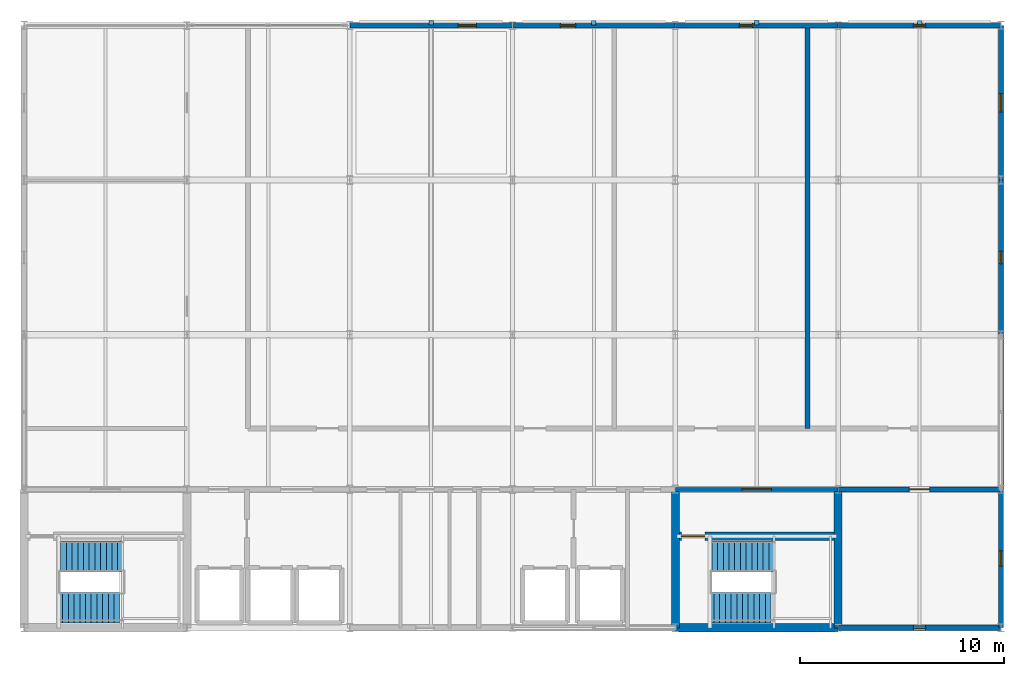
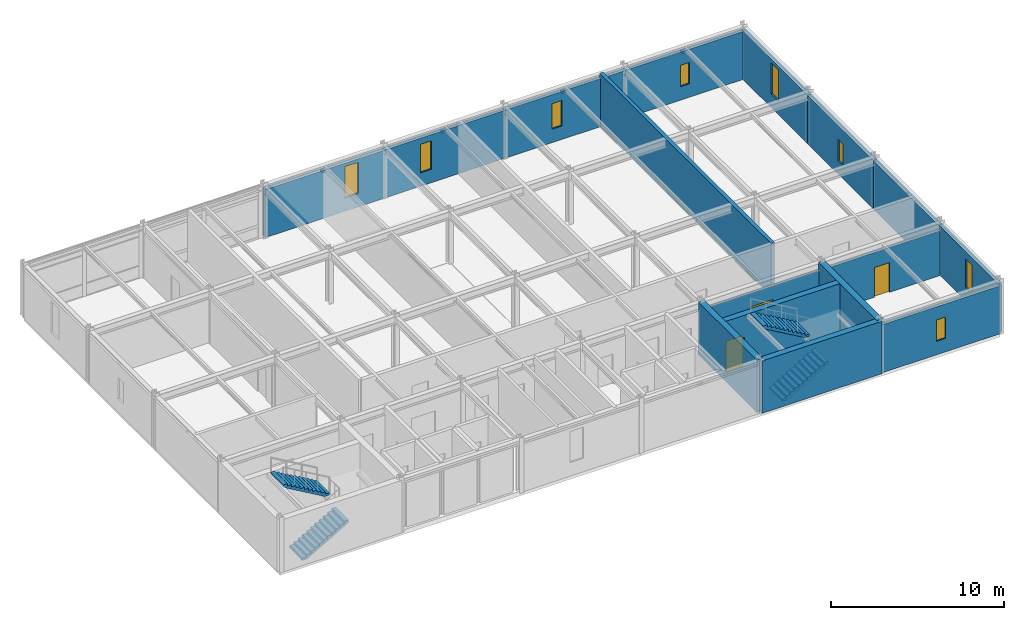
# One storey, part 8 of 9: 16 walls, 8 windows, 4 discrete accessories, 4 stair flights, 3 doors, 11 openings, 2 elements without a shape of their own.
"""IFC4 building model written with IfcOpenShell, lengths in metres."""

from ifc_helpers import new_model, si_unit, direction, frame, frame_2d, origin, origin_2d, place, context, subcontext, project, spatial, polyline, rectangle, outline, extrude, material, layer, layer_set, type_object, element, fill, aggregate, save


model = new_model("IFC4")

# Units and contexts
model_context = context("Model", 3, precision=1e-05, world=origin(), true_north=direction((0.0, 1.0)))
body_context = subcontext(model_context, "Body", "Model", "MODEL_VIEW")
ifc_project = project(units=[si_unit("LENGTHUNIT", "METRE"), si_unit("AREAUNIT", "SQUARE_METRE"), si_unit("VOLUMEUNIT", "CUBIC_METRE"), si_unit("PLANEANGLEUNIT", "RADIAN"), si_unit("MASSUNIT", "GRAM", prefix="KILO")], contexts=[model_context])

# Site, building, storey
site_placement = place(None, origin())
site = spatial("IfcSite", under=ifc_project, at=site_placement, CompositionType="ELEMENT")
building_placement = place(site_placement, origin())
building = spatial("IfcBuilding", under=site, at=building_placement, Name="Shalkamar Park Central Library", CompositionType="ELEMENT")
storey_placement = place(building_placement, frame((0.0, 0.0, 63.89990234375)))
storey = spatial("IfcBuildingStorey", under=building, at=storey_placement, Name="L16", CompositionType="ELEMENT", Elevation=63.89990234375)

# Wall, opening, window
ifc_material_1 = material(Name="Terracotta insulated masonry", Category="masonry")
ifc_layer_1 = layer(ifc_material_1, 0.260009765625)
ifc_layer_set_1 = layer_set([ifc_layer_1], Name="ArchiveInsulatedFacadeWall_260")
wall_type_1 = type_object("IfcWallType", Name="Archive Insulated Facade Wall 260", PredefinedType="SOLIDWALL", material=ifc_layer_set_1)
wall_1_placement = place(storey_placement, frame((205.006103515625, 248.39990234375, 0.0), z_axis=(0.0, 0.0, 1.0), x_axis=(1.0, 0.0, 0.0)))
wall_1 = element("IfcWall", 1, at=wall_1_placement, inside=storey, type_object=wall_type_1, Name="Exterior Facade Wall WL-EXT-L16-274", PredefinedType="SOLIDWALL", context=body_context, shape_type="SweptSolid", body=[
    extrude(rectangle(XDim=7.98779296875, YDim=0.260009765625, at=frame_2d((3.993896484375, 0.0))), origin(), (0.0, 0.0, 1.0), 3.38818359375),
])
opening_1_placement = place(wall_1_placement, frame((3.694091796875, 0.0, 0.949951171875)))
opening_1 = element("IfcOpeningElement", 2, at=opening_1_placement, cuts=wall_1, Name="Opening WN-20", PredefinedType="OPENING", context=body_context, shape_type="SweptSolid", body=[
    extrude(rectangle(XDim=0.60009765625, YDim=1.5, at=frame_2d((0.300048828125, 0.75))), frame((0.0, 0.14501953125, 0.0), z_axis=(0.0, -1.0, 0.0), x_axis=(1.0, 0.0, 0.0)), (0.0, 0.0, 1.0), 0.289794921875),
])
ifc_material_2 = material(Name="Thermally broken aluminium and triple low-e glass", Category="glass")
window_type_1 = type_object("IfcWindowType", Name="Archive Slit Window 600x1500", PartitioningType="SINGLE_PANEL", PredefinedType="WINDOW", material=ifc_material_2)
window_1_placement = place(opening_1_placement, origin())
window_1 = element("IfcWindow", 3, at=window_1_placement, inside=storey, type_object=window_type_1, Name="Facade Window WN-L16-201", OverallHeight=1.5, OverallWidth=0.60009765625, PartitioningType="SINGLE_PANEL", PredefinedType="WINDOW", context=body_context, shape_type="SweptSolid", body=[
    extrude(rectangle(XDim=0.60009765625, YDim=1.5, at=frame_2d((0.300048828125, 0.75))), frame((0.0, 0.030029296875, 0.0), z_axis=(0.0, -1.0, 0.0), x_axis=(1.0, 0.0, 0.0)), (0.0, 0.0, 1.0), 0.06005859375),
])
fill(opening_1, window_1)

wall_2_placement = place(storey_placement, frame((181.006103515625, 278.0, 0.0), z_axis=(0.0, 0.0, 1.0), x_axis=(1.0, 0.0, 0.0)))
wall_2 = element("IfcWall", 4, at=wall_2_placement, inside=storey, type_object=wall_type_1, Name="Exterior Facade Wall WL-EXT-L16-275", PredefinedType="SOLIDWALL", context=body_context, shape_type="SweptSolid", body=[
    extrude(rectangle(XDim=7.98779296875, YDim=0.260009765625, at=frame_2d((3.993896484375, 0.0))), origin(), (0.0, 0.0, 1.0), 3.38818359375),
])
opening_2_placement = place(wall_2_placement, frame((5.31591796875, 0.0, 0.949951171875)))
opening_2 = element("IfcOpeningElement", 5, at=opening_2_placement, cuts=wall_2, Name="Opening WN-17", PredefinedType="OPENING", context=body_context, shape_type="SweptSolid", body=[
    extrude(rectangle(XDim=0.89990234375, YDim=2.199951171875, at=frame_2d((0.449951171875, 1.10009765625))), frame((0.0, 0.14501953125, 0.0), z_axis=(0.0, -1.0, 0.0), x_axis=(1.0, 0.0, 0.0)), (0.0, 0.0, 1.0), 0.289794921875),
])
window_type_2 = type_object("IfcWindowType", Name="Archive Slit Window 900x2200", PartitioningType="SINGLE_PANEL", PredefinedType="WINDOW", material=ifc_material_2)
window_2_placement = place(opening_2_placement, origin())
window_2 = element("IfcWindow", 6, at=window_2_placement, inside=storey, type_object=window_type_2, Name="Facade Window WN-L16-202", OverallHeight=2.199951171875, OverallWidth=0.89990234375, PartitioningType="SINGLE_PANEL", PredefinedType="WINDOW", context=body_context, shape_type="SweptSolid", body=[
    extrude(rectangle(XDim=0.89990234375, YDim=2.199951171875, at=frame_2d((0.449951171875, 1.10009765625))), frame((0.0, 0.030029296875, 0.0), z_axis=(0.0, -1.0, 0.0), x_axis=(1.0, 0.0, 0.0)), (0.0, 0.0, 1.0), 0.06005859375),
])
fill(opening_2, window_2)

wall_3_placement = place(storey_placement, frame((189.006103515625, 278.0, 0.0), z_axis=(0.0, 0.0, 1.0), x_axis=(1.0, 0.0, 0.0)))
wall_3 = element("IfcWall", 7, at=wall_3_placement, inside=storey, type_object=wall_type_1, Name="Exterior Facade Wall WL-EXT-L16-276", PredefinedType="SOLIDWALL", context=body_context, shape_type="SweptSolid", body=[
    extrude(rectangle(XDim=7.98779296875, YDim=0.260009765625, at=frame_2d((3.993896484375, 0.0))), origin(), (0.0, 0.0, 1.0), 3.38818359375),
])
opening_3_placement = place(wall_3_placement, frame((2.346923828125, 0.0, 0.949951171875)))
opening_3 = element("IfcOpeningElement", 8, at=opening_3_placement, cuts=wall_3, Name="Opening WN-18", PredefinedType="OPENING", context=body_context, shape_type="SweptSolid", body=[
    extrude(rectangle(XDim=0.75, YDim=2.0, at=frame_2d((0.375, 1.0))), frame((0.0, 0.14501953125, 0.0), z_axis=(0.0, -1.0, 0.0), x_axis=(1.0, 0.0, 0.0)), (0.0, 0.0, 1.0), 0.289794921875),
])
window_type_3 = type_object("IfcWindowType", Name="Archive Slit Window 750x2000", PartitioningType="SINGLE_PANEL", PredefinedType="WINDOW", material=ifc_material_2)
window_3_placement = place(opening_3_placement, origin())
window_3 = element("IfcWindow", 9, at=window_3_placement, inside=storey, type_object=window_type_3, Name="Facade Window WN-L16-203", OverallHeight=2.0, OverallWidth=0.75, PartitioningType="SINGLE_PANEL", PredefinedType="WINDOW", context=body_context, shape_type="SweptSolid", body=[
    extrude(rectangle(XDim=0.75, YDim=2.0, at=frame_2d((0.375, 1.0))), frame((0.0, 0.030029296875, 0.0), z_axis=(0.0, -1.0, 0.0), x_axis=(1.0, 0.0, 0.0)), (0.0, 0.0, 1.0), 0.06005859375),
])
fill(opening_3, window_3)

wall_4_placement = place(storey_placement, frame((197.006103515625, 278.0, 0.0), z_axis=(0.0, 0.0, 1.0), x_axis=(1.0, 0.0, 0.0)))
wall_4 = element("IfcWall", 10, at=wall_4_placement, inside=storey, type_object=wall_type_1, Name="Exterior Facade Wall WL-EXT-L16-277", PredefinedType="SOLIDWALL", context=body_context, shape_type="SweptSolid", body=[
    extrude(rectangle(XDim=7.98779296875, YDim=0.260009765625, at=frame_2d((3.993896484375, 0.0))), origin(), (0.0, 0.0, 1.0), 3.38818359375),
])
opening_4_placement = place(wall_4_placement, frame((3.14697265625, 0.0, 0.949951171875)))
opening_4 = element("IfcOpeningElement", 11, at=opening_4_placement, cuts=wall_4, Name="Opening WN-19", PredefinedType="OPENING", context=body_context, shape_type="SweptSolid", body=[
    extrude(rectangle(XDim=0.64990234375, YDim=1.800048828125, at=frame_2d((0.324951171875, 0.89990234375))), frame((0.0, 0.14501953125, 0.0), z_axis=(0.0, -1.0, 0.0), x_axis=(1.0, 0.0, 0.0)), (0.0, 0.0, 1.0), 0.289794921875),
])
window_type_4 = type_object("IfcWindowType", Name="Archive Slit Window 650x1800", PartitioningType="SINGLE_PANEL", PredefinedType="WINDOW", material=ifc_material_2)
window_4_placement = place(opening_4_placement, origin())
window_4 = element("IfcWindow", 12, at=window_4_placement, inside=storey, type_object=window_type_4, Name="Facade Window WN-L16-204", OverallHeight=1.800048828125, OverallWidth=0.64990234375, PartitioningType="SINGLE_PANEL", PredefinedType="WINDOW", context=body_context, shape_type="SweptSolid", body=[
    extrude(rectangle(XDim=0.64990234375, YDim=1.800048828125, at=frame_2d((0.324951171875, 0.89990234375))), frame((0.0, 0.030029296875, 0.0), z_axis=(0.0, -1.0, 0.0), x_axis=(1.0, 0.0, 0.0)), (0.0, 0.0, 1.0), 0.06005859375),
])
fill(opening_4, window_4)

wall_5_placement = place(storey_placement, frame((205.006103515625, 278.0, 0.0), z_axis=(0.0, 0.0, 1.0), x_axis=(1.0, 0.0, 0.0)))
wall_5 = element("IfcWall", 13, at=wall_5_placement, inside=storey, type_object=wall_type_1, Name="Exterior Facade Wall WL-EXT-L16-278", PredefinedType="SOLIDWALL", context=body_context, shape_type="SweptSolid", body=[
    extrude(rectangle(XDim=7.98779296875, YDim=0.260009765625, at=frame_2d((3.993896484375, 0.0))), origin(), (0.0, 0.0, 1.0), 3.38818359375),
])
opening_5_placement = place(wall_5_placement, frame((3.694091796875, 0.0, 0.949951171875)))
opening_5 = element("IfcOpeningElement", 14, at=opening_5_placement, cuts=wall_5, Name="Opening WN-20", PredefinedType="OPENING", context=body_context, shape_type="SweptSolid", body=[
    extrude(rectangle(XDim=0.60009765625, YDim=1.5, at=frame_2d((0.300048828125, 0.75))), frame((0.0, 0.14501953125, 0.0), z_axis=(0.0, -1.0, 0.0), x_axis=(1.0, 0.0, 0.0)), (0.0, 0.0, 1.0), 0.289794921875),
])
window_5_placement = place(opening_5_placement, origin())
window_5 = element("IfcWindow", 15, at=window_5_placement, inside=storey, type_object=window_type_1, Name="Facade Window WN-L16-205", OverallHeight=1.5, OverallWidth=0.60009765625, PartitioningType="SINGLE_PANEL", PredefinedType="WINDOW", context=body_context, shape_type="SweptSolid", body=[
    extrude(rectangle(XDim=0.60009765625, YDim=1.5, at=frame_2d((0.300048828125, 0.75))), frame((0.0, 0.030029296875, 0.0), z_axis=(0.0, -1.0, 0.0), x_axis=(1.0, 0.0, 0.0)), (0.0, 0.0, 1.0), 0.06005859375),
])
fill(opening_5, window_5)

wall_6_placement = place(storey_placement, frame((213.0, 248.406005859375, 0.0), z_axis=(0.0, 0.0, 1.0), x_axis=(0.0, 1.0, 0.0)))
wall_6 = element("IfcWall", 16, at=wall_6_placement, inside=storey, type_object=wall_type_1, Name="Exterior Facade Wall WL-EXT-L16-282", PredefinedType="SOLIDWALL", context=body_context, shape_type="SweptSolid", body=[
    extrude(rectangle(XDim=6.7880859375, YDim=0.260009765625, at=frame_2d((3.39404296875, 0.0))), origin(), (0.0, 0.0, 1.0), 3.468017578125),
])
opening_6_placement = place(wall_6_placement, frame((3.01904296875, 0.0, 0.949951171875)))
opening_6 = element("IfcOpeningElement", 17, at=opening_6_placement, cuts=wall_6, Name="Opening WN-18", PredefinedType="OPENING", context=body_context, shape_type="SweptSolid", body=[
    extrude(rectangle(XDim=0.75, YDim=2.0, at=frame_2d((0.375, 1.0))), frame((0.0, 0.14501953125, 0.0), z_axis=(0.0, -1.0, 0.0), x_axis=(1.0, 0.0, 0.0)), (0.0, 0.0, 1.0), 0.289794921875),
])
window_6_placement = place(opening_6_placement, origin())
window_6 = element("IfcWindow", 18, at=window_6_placement, inside=storey, type_object=window_type_3, Name="Facade Window WN-L16-208", OverallHeight=2.0, OverallWidth=0.75, PartitioningType="SINGLE_PANEL", PredefinedType="WINDOW", context=body_context, shape_type="SweptSolid", body=[
    extrude(rectangle(XDim=0.75, YDim=2.0, at=frame_2d((0.375, 1.0))), frame((0.0, 0.030029296875, 0.0), z_axis=(0.0, -1.0, 0.0), x_axis=(1.0, 0.0, 0.0)), (0.0, 0.0, 1.0), 0.06005859375),
])
fill(opening_6, window_6)

# Wall
wall_7_placement = place(storey_placement, frame((213.0, 255.2060546875, 0.0), z_axis=(0.0, 0.0, 1.0), x_axis=(0.0, 1.0, 0.0)))
element("IfcWall", 19, at=wall_7_placement, inside=storey, type_object=wall_type_1, Name="Exterior Facade Wall WL-EXT-L16-283", PredefinedType="SOLIDWALL", context=body_context, shape_type="SweptSolid", body=[
    extrude(rectangle(XDim=7.587890625, YDim=0.260009765625, at=frame_2d((3.7939453125, 0.0))), origin(), (0.0, 0.0, 1.0), 3.427978515625),
])

# Wall, opening, window
wall_8_placement = place(storey_placement, frame((213.0, 262.805908203125, 0.0), z_axis=(0.0, 0.0, 1.0), x_axis=(0.0, 1.0, 0.0)))
wall_8 = element("IfcWall", 20, at=wall_8_placement, inside=storey, type_object=wall_type_1, Name="Exterior Facade Wall WL-EXT-L16-284", PredefinedType="SOLIDWALL", context=body_context, shape_type="SweptSolid", body=[
    extrude(rectangle(XDim=7.588134765625, YDim=0.260009765625, at=frame_2d((3.7939453125, 0.0))), origin(), (0.0, 0.0, 1.0), 3.427978515625),
])
opening_7_placement = place(wall_8_placement, frame((3.493896484375, 0.0, 0.949951171875)))
opening_7 = element("IfcOpeningElement", 21, at=opening_7_placement, cuts=wall_8, Name="Opening WN-20", PredefinedType="OPENING", context=body_context, shape_type="SweptSolid", body=[
    extrude(rectangle(XDim=0.60009765625, YDim=1.5, at=frame_2d((0.300048828125, 0.75))), frame((0.0, 0.14501953125, 0.0), z_axis=(0.0, -1.0, 0.0), x_axis=(1.0, 0.0, 0.0)), (0.0, 0.0, 1.0), 0.289794921875),
])
window_7_placement = place(opening_7_placement, origin())
window_7 = element("IfcWindow", 22, at=window_7_placement, inside=storey, type_object=window_type_1, Name="Facade Window WN-L16-209", OverallHeight=1.5, OverallWidth=0.60009765625, PartitioningType="SINGLE_PANEL", PredefinedType="WINDOW", context=body_context, shape_type="SweptSolid", body=[
    extrude(rectangle(XDim=0.60009765625, YDim=1.5, at=frame_2d((0.300048828125, 0.75))), frame((0.0, 0.030029296875, 0.0), z_axis=(0.0, -1.0, 0.0), x_axis=(1.0, 0.0, 0.0)), (0.0, 0.0, 1.0), 0.06005859375),
])
fill(opening_7, window_7)

wall_9_placement = place(storey_placement, frame((213.0, 270.406005859375, 0.0), z_axis=(0.0, 0.0, 1.0), x_axis=(0.0, 1.0, 0.0)))
wall_9 = element("IfcWall", 23, at=wall_9_placement, inside=storey, type_object=wall_type_1, Name="Exterior Facade Wall WL-EXT-L16-285", PredefinedType="SOLIDWALL", context=body_context, shape_type="SweptSolid", body=[
    extrude(rectangle(XDim=7.587890625, YDim=0.260009765625, at=frame_2d((3.7939453125, 0.0))), origin(), (0.0, 0.0, 1.0), 3.427978515625),
])
opening_8_placement = place(wall_9_placement, frame((3.343994140625, 0.0, 0.949951171875)))
opening_8 = element("IfcOpeningElement", 24, at=opening_8_placement, cuts=wall_9, Name="Opening WN-17", PredefinedType="OPENING", context=body_context, shape_type="SweptSolid", body=[
    extrude(rectangle(XDim=0.89990234375, YDim=2.199951171875, at=frame_2d((0.449951171875, 1.10009765625))), frame((0.0, 0.14501953125, 0.0), z_axis=(0.0, -1.0, 0.0), x_axis=(1.0, 0.0, 0.0)), (0.0, 0.0, 1.0), 0.289794921875),
])
window_8_placement = place(opening_8_placement, origin())
window_8 = element("IfcWindow", 25, at=window_8_placement, inside=storey, type_object=window_type_2, Name="Facade Window WN-L16-210", OverallHeight=2.199951171875, OverallWidth=0.89990234375, PartitioningType="SINGLE_PANEL", PredefinedType="WINDOW", context=body_context, shape_type="SweptSolid", body=[
    extrude(rectangle(XDim=0.89990234375, YDim=2.199951171875, at=frame_2d((0.449951171875, 1.10009765625))), frame((0.0, 0.030029296875, 0.0), z_axis=(0.0, -1.0, 0.0), x_axis=(1.0, 0.0, 0.0)), (0.0, 0.0, 1.0), 0.06005859375),
])
fill(opening_8, window_8)

# Wall, opening, door
ifc_material_3 = material(Name="Reinforced fire-compartment masonry wall", Category="masonry")
ifc_layer_2 = layer(ifc_material_3, 0.239990234375)
ifc_layer_set_2 = layer_set([ifc_layer_2], Name="CompartmentWall_240")
wall_type_2 = type_object("IfcWallType", Name="Compartment Wall 240", PredefinedType="PARTITIONING", material=ifc_layer_set_2)
wall_10_placement = place(storey_placement, frame((205.0, 255.199951171875, 0.0), z_axis=(0.0, 0.0, 1.0), x_axis=(1.0, 0.0, 0.0)))
wall_10 = element("IfcWall", 26, at=wall_10_placement, inside=storey, type_object=wall_type_2, Name="Interior Partition WL-INT-L16-010", PredefinedType="PARTITIONING", context=body_context, shape_type="SweptSolid", body=[
    extrude(rectangle(XDim=8.0, YDim=0.239990234375, at=frame_2d((4.0, 0.0))), origin(), (0.0, 0.0, 1.0), 3.148193359375),
])
opening_9_placement = place(wall_10_placement, frame((3.5, 0.0, 0.0)))
opening_9 = element("IfcOpeningElement", 27, at=opening_9_placement, cuts=wall_10, Name="Opening DR-L16-012", PredefinedType="OPENING", context=body_context, shape_type="SweptSolid", body=[
    extrude(rectangle(XDim=1.0, YDim=2.10009765625, at=frame_2d((0.5, 1.050048828125))), frame((0.0, 0.134765625, 0.0), z_axis=(0.0, -1.0, 0.0), x_axis=(1.0, 0.0, 0.0)), (0.0, 0.0, 1.0), 0.269775390625),
])
ifc_material_4 = material(Name="Steel S355", Category="steel")
door_type_1 = type_object("IfcDoorType", Name="Fire Door Single 1000x2100", OperationType="NOTDEFINED", PredefinedType="DOOR", material=ifc_material_4)
door_1_placement = place(opening_9_placement, frame((1.0, 0.0, 0.0), z_axis=(0.0, 0.0, 1.0), x_axis=(-1.0, 0.0, 0.0)))
door_1 = element("IfcDoor", 28, at=door_1_placement, inside=storey, type_object=door_type_1, Name="L16 Archive Registry Office Door", OperationType="SINGLE_SWING_RIGHT", OverallHeight=2.10009765625, OverallWidth=1.0, PredefinedType="DOOR", context=body_context, shape_type="SweptSolid", body=[
    extrude(rectangle(XDim=1.0, YDim=2.10009765625, at=frame_2d((0.5, 1.050048828125))), frame((0.0, 0.02490234375, 0.0), z_axis=(0.0, -1.0, 0.0), x_axis=(1.0, 0.0, 0.0)), (0.0, 0.0, 1.0), 0.050048828125),
])
fill(opening_9, door_1)

# Wall
wall_11_placement = place(storey_placement, frame((203.5, 258.199951171875, 0.0), z_axis=(0.0, 0.0, 1.0), x_axis=(0.0, 1.0, 0.0)))
element("IfcWall", 29, at=wall_11_placement, inside=storey, type_object=wall_type_2, Name="Interior Partition WL-INT-L16-018", PredefinedType="PARTITIONING", context=body_context, shape_type="SweptSolid", body=[
    extrude(rectangle(XDim=19.800048828125, YDim=0.239990234375, at=frame_2d((9.89990234375, 0.0))), origin(), (0.0, 0.0, 1.0), 3.7001953125),
])

# Wall, opening, door
ifc_material_5 = material(Name="Fire-rated corridor partition wall", Category="masonry")
ifc_layer_3 = layer(ifc_material_5, 0.199951171875)
ifc_layer_set_3 = layer_set([ifc_layer_3], Name="CorridorFireWall_200")
wall_type_3 = type_object("IfcWallType", Name="Corridor Fire Wall 200", PredefinedType="PARTITIONING", material=ifc_layer_set_3)
wall_12_placement = place(storey_placement, frame((197.0, 255.199951171875, 0.0), z_axis=(0.0, 0.0, 1.0), x_axis=(1.0, 0.0, 0.0)))
wall_12 = element("IfcWall", 30, at=wall_12_placement, inside=storey, type_object=wall_type_3, Name="CORE-T2 Vestibule North Wall (L16)", PredefinedType="PARTITIONING", context=body_context, shape_type="SweptSolid", body=[
    extrude(rectangle(XDim=8.0, YDim=0.199951171875, at=frame_2d((4.0, 0.0))), origin(), (0.0, 0.0, 1.0), 3.148193359375),
])
opening_10_placement = place(wall_12_placement, frame((3.27490234375, 0.0, 0.0)))
opening_10 = element("IfcOpeningElement", 31, at=opening_10_placement, cuts=wall_12, Name="Opening DR-ST-T2-L16-VEST", PredefinedType="OPENING", context=body_context, shape_type="SweptSolid", body=[
    extrude(rectangle(XDim=1.449951171875, YDim=2.199951171875, at=frame_2d((0.72509765625, 1.10009765625))), frame((0.0, 0.11474609375, 0.0), z_axis=(0.0, -1.0, 0.0), x_axis=(1.0, 0.0, 0.0)), (0.0, 0.0, 1.0), 0.229736328125),
])
door_type_2 = type_object("IfcDoorType", Name="Stair Vestibule Door 1450x2200", OperationType="DOUBLE_DOOR_SINGLE_SWING", PredefinedType="DOOR", material=ifc_material_4)
door_2_placement = place(opening_10_placement, frame((1.449951171875, 0.0, 0.0), z_axis=(0.0, 0.0, 1.0), x_axis=(-1.0, 0.0, 0.0)))
door_2 = element("IfcDoor", 32, at=door_2_placement, inside=storey, type_object=door_type_2, Name="Protected Stair ST-T2 Vestibule Door (L16)", OperationType="DOUBLE_DOOR_SINGLE_SWING", OverallHeight=2.199951171875, OverallWidth=1.449951171875, PredefinedType="DOOR", context=body_context, shape_type="SweptSolid", body=[
    extrude(rectangle(XDim=1.449951171875, YDim=2.199951171875, at=frame_2d((0.72509765625, 1.10009765625))), frame((0.0, 0.02490234375, 0.0), z_axis=(0.0, -1.0, 0.0), x_axis=(1.0, 0.0, 0.0)), (0.0, 0.0, 1.0), 0.050048828125),
])
fill(opening_10, door_2)

# Walls
ifc_material_6 = material(Name="Concrete C40/50", Category="concrete")
ifc_layer_4 = layer(ifc_material_6, 0.39990234375)
ifc_layer_set_4 = layer_set([ifc_layer_4], Name="Concrete C40/50")
wall_type_4 = type_object("IfcWallType", Name="Tower Core Shear Wall 400", PredefinedType="SHEAR", material=ifc_layer_set_4)
wall_13_placement = place(storey_placement, frame((197.0, 248.39990234375, 0.0), z_axis=(0.0, 0.0, 1.0), x_axis=(1.0, 0.0, 0.0)))
element("IfcWall", 33, at=wall_13_placement, inside=storey, type_object=wall_type_4, Name="CORE-T2 South Shear Wall (L16)", PredefinedType="SHEAR", context=body_context, shape_type="SweptSolid", body=[
    extrude(rectangle(XDim=8.0, YDim=0.39990234375, at=frame_2d((4.0, 0.0))), origin(), (0.0, 0.0, 1.0), 3.7001953125),
])
for number, where, z_axis, x_axis, name in (
    (34, (197.0, 248.39990234375, 0.0), (0.0, 0.0, 1.0), (0.0, 1.0, 0.0), "CORE-T2 West Shear Wall (L16)"),
    (35, (205.0, 248.39990234375, 0.0), (0.0, 0.0, 1.0), (0.0, 1.0, 0.0), "CORE-T2 East Shear Wall (L16)"),
):
    element("IfcWall", number, at=place(storey_placement, frame(where, z_axis=z_axis, x_axis=x_axis)), inside=storey, type_object=wall_type_4, Name=name, PredefinedType="SHEAR", context=body_context, shape_type="SweptSolid", body=[
        extrude(rectangle(XDim=6.800048828125, YDim=0.39990234375, at=frame_2d((3.39990234375, 0.0))), origin(), (0.0, 0.0, 1.0), 3.7001953125),
    ])

# Wall, opening, door
wall_14_placement = place(storey_placement, frame((197.0, 252.89990234375, 0.0), z_axis=(0.0, 0.0, 1.0), x_axis=(1.0, 0.0, 0.0)))
wall_14 = element("IfcWall", 36, at=wall_14_placement, inside=storey, type_object=wall_type_4, Name="CORE-T2 Stairwell Wall (L16)", PredefinedType="SHEAR", context=body_context, shape_type="SweptSolid", body=[
    extrude(rectangle(XDim=8.0, YDim=0.39990234375, at=frame_2d((4.0, 0.0))), origin(), (0.0, 0.0, 1.0), 3.7001953125),
])
opening_11_placement = place(wall_14_placement, frame((0.300048828125, 0.0, 0.0)))
opening_11 = element("IfcOpeningElement", 37, at=opening_11_placement, cuts=wall_14, Name="Opening DR-ST-T2-L16-IN", PredefinedType="OPENING", context=body_context, shape_type="SweptSolid", body=[
    extrude(rectangle(XDim=1.14990234375, YDim=2.14990234375, at=frame_2d((0.574951171875, 1.074951171875))), frame((0.0, 0.21484375, 0.0), z_axis=(0.0, -1.0, 0.0), x_axis=(1.0, 0.0, 0.0)), (0.0, 0.0, 1.0), 0.4296875),
])
door_type_3 = type_object("IfcDoorType", Name="Stair Core Exit Door 1150x2150", OperationType="NOTDEFINED", PredefinedType="DOOR", material=ifc_material_4)
door_3_placement = place(opening_11_placement, frame((1.14990234375, 0.0, 0.0), z_axis=(0.0, 0.0, 1.0), x_axis=(-1.0, 0.0, 0.0)))
door_3 = element("IfcDoor", 38, at=door_3_placement, inside=storey, type_object=door_type_3, Name="Protected Stair ST-T2 Exit Door (L16)", OperationType="SINGLE_SWING_RIGHT", OverallHeight=2.14990234375, OverallWidth=1.14990234375, PredefinedType="DOOR", context=body_context, shape_type="SweptSolid", body=[
    extrude(rectangle(XDim=1.14990234375, YDim=2.14990234375, at=frame_2d((0.574951171875, 1.074951171875))), frame((0.0, 0.02490234375, 0.0), z_axis=(0.0, -1.0, 0.0), x_axis=(1.0, 0.0, 0.0)), (0.0, 0.0, 1.0), 0.050048828125),
])
fill(opening_11, door_3)

# Stair, stair flights
ifc_material_7 = material(Name="Concrete C35/45", Category="concrete")
stair_type = type_object("IfcStairType", Name="Protected Dog Leg Stair 150x390", PredefinedType="TWO_STRAIGHT_RUN_STAIR", material=ifc_material_7)
stair_1_placement = place(storey_placement, origin())
stair_1 = element("IfcStair", 39, at=stair_1_placement, inside=storey, type_object=stair_type, Name="Protected Core Stair ST-T1-L16", PredefinedType="TWO_STRAIGHT_RUN_STAIR")
stair_flight_type = type_object("IfcStairFlightType", Name="Straight Stair Flight 150x390", PredefinedType="STRAIGHT", material=ifc_material_7)
stair_flight_1_placement = place(storey_placement, frame((166.6201171875, 249.389892578125, 0.0), z_axis=(0.0, 0.0, 1.0), x_axis=(1.0, 0.0, 0.0)))
stair_flight_1 = element("IfcStairFlight", 40, at=stair_flight_1_placement, type_object=stair_flight_type, Name="ST-T1-L16 flight 1", NumberOfRisers=12, NumberOfTreads=11, PredefinedType="STRAIGHT", RiserHeight=0.1625, TreadLength=0.28, context=body_context, shape_type="SweptSolid", body=[
    extrude(outline(polyline([(0.0, 0.0), (0.0, 0.16259765625), (0.280029296875, 0.16259765625), (0.280029296875, 0.324951171875), (0.56005859375, 0.324951171875), (0.56005859375, 0.487548828125), (0.840087890625, 0.487548828125), (0.840087890625, 0.64990234375), (1.1201171875, 0.64990234375), (1.1201171875, 0.8125), (1.39990234375, 0.8125), (1.39990234375, 0.97509765625), (1.679931640625, 0.97509765625), (1.679931640625, 1.137451171875), (1.9599609375, 1.137451171875), (1.9599609375, 1.300048828125), (2.239990234375, 1.300048828125), (2.239990234375, 1.46240234375), (2.52001953125, 1.46240234375), (2.52001953125, 1.625), (2.800048828125, 1.625), (2.800048828125, 1.78759765625), (3.080078125, 1.78759765625), (3.080078125, 1.949951171875), (3.080078125, 1.6142578125), (0.298583984375, 0.0), (0.0, 0.0)])), frame((0.0, 0.75, 0.0), z_axis=(0.0, -1.0, 0.0), x_axis=(1.0, 0.0, 0.0)), (0.0, 0.0, 1.0), 1.5),
])
stair_flight_2_placement = place(storey_placement, frame((169.8798828125, 251.909912109375, 1.9501953125), z_axis=(0.0, 0.0, 1.0), x_axis=(-1.0, 0.0, 0.0)))
stair_flight_2 = element("IfcStairFlight", 41, at=stair_flight_2_placement, type_object=stair_flight_type, Name="ST-T1-L16 flight 2", NumberOfRisers=12, NumberOfTreads=11, PredefinedType="STRAIGHT", RiserHeight=0.1625, TreadLength=0.28, context=body_context, shape_type="SweptSolid", body=[
    extrude(outline(polyline([(0.0, 0.0), (0.0, 0.16259765625), (0.280029296875, 0.16259765625), (0.280029296875, 0.324951171875), (0.56005859375, 0.324951171875), (0.56005859375, 0.487548828125), (0.840087890625, 0.487548828125), (0.840087890625, 0.64990234375), (1.1201171875, 0.64990234375), (1.1201171875, 0.8125), (1.39990234375, 0.8125), (1.39990234375, 0.97509765625), (1.679931640625, 0.97509765625), (1.679931640625, 1.137451171875), (1.9599609375, 1.137451171875), (1.9599609375, 1.300048828125), (2.239990234375, 1.300048828125), (2.239990234375, 1.46240234375), (2.52001953125, 1.46240234375), (2.52001953125, 1.625), (2.800048828125, 1.625), (2.800048828125, 1.78759765625), (3.080078125, 1.78759765625), (3.080078125, 1.949951171875), (3.080078125, 1.6142578125), (0.298583984375, 0.0), (0.0, 0.0)])), frame((0.0, 0.75, 0.0), z_axis=(0.0, -1.0, 0.0), x_axis=(1.0, 0.0, 0.0)), (0.0, 0.0, 1.0), 1.5),
])
aggregate(stair_1, [stair_flight_1, stair_flight_2])

stair_2_placement = place(storey_placement, origin())
stair_2 = element("IfcStair", 42, at=stair_2_placement, inside=storey, type_object=stair_type, Name="Protected Core Stair ST-T2-L16", PredefinedType="TWO_STRAIGHT_RUN_STAIR")
stair_flight_3_placement = place(storey_placement, frame((198.6201171875, 249.389892578125, 0.0), z_axis=(0.0, 0.0, 1.0), x_axis=(1.0, 0.0, 0.0)))
stair_flight_3 = element("IfcStairFlight", 43, at=stair_flight_3_placement, type_object=stair_flight_type, Name="ST-T2-L16 flight 1", NumberOfRisers=12, NumberOfTreads=11, PredefinedType="STRAIGHT", RiserHeight=0.1625, TreadLength=0.28, context=body_context, shape_type="SweptSolid", body=[
    extrude(outline(polyline([(0.0, 0.0), (0.0, 0.16259765625), (0.280029296875, 0.16259765625), (0.280029296875, 0.324951171875), (0.56005859375, 0.324951171875), (0.56005859375, 0.487548828125), (0.840087890625, 0.487548828125), (0.840087890625, 0.64990234375), (1.1201171875, 0.64990234375), (1.1201171875, 0.8125), (1.39990234375, 0.8125), (1.39990234375, 0.97509765625), (1.679931640625, 0.97509765625), (1.679931640625, 1.137451171875), (1.9599609375, 1.137451171875), (1.9599609375, 1.300048828125), (2.239990234375, 1.300048828125), (2.239990234375, 1.46240234375), (2.52001953125, 1.46240234375), (2.52001953125, 1.625), (2.800048828125, 1.625), (2.800048828125, 1.78759765625), (3.080078125, 1.78759765625), (3.080078125, 1.949951171875), (3.080078125, 1.6142578125), (0.298583984375, 0.0), (0.0, 0.0)])), frame((0.0, 0.75, 0.0), z_axis=(0.0, -1.0, 0.0), x_axis=(1.0, 0.0, 0.0)), (0.0, 0.0, 1.0), 1.5),
])
stair_flight_4_placement = place(storey_placement, frame((201.8798828125, 251.909912109375, 1.9501953125), z_axis=(0.0, 0.0, 1.0), x_axis=(-1.0, 0.0, 0.0)))
stair_flight_4 = element("IfcStairFlight", 44, at=stair_flight_4_placement, type_object=stair_flight_type, Name="ST-T2-L16 flight 2", NumberOfRisers=12, NumberOfTreads=11, PredefinedType="STRAIGHT", RiserHeight=0.1625, TreadLength=0.28, context=body_context, shape_type="SweptSolid", body=[
    extrude(outline(polyline([(0.0, 0.0), (0.0, 0.16259765625), (0.280029296875, 0.16259765625), (0.280029296875, 0.324951171875), (0.56005859375, 0.324951171875), (0.56005859375, 0.487548828125), (0.840087890625, 0.487548828125), (0.840087890625, 0.64990234375), (1.1201171875, 0.64990234375), (1.1201171875, 0.8125), (1.39990234375, 0.8125), (1.39990234375, 0.97509765625), (1.679931640625, 0.97509765625), (1.679931640625, 1.137451171875), (1.9599609375, 1.137451171875), (1.9599609375, 1.300048828125), (2.239990234375, 1.300048828125), (2.239990234375, 1.46240234375), (2.52001953125, 1.46240234375), (2.52001953125, 1.625), (2.800048828125, 1.625), (2.800048828125, 1.78759765625), (3.080078125, 1.78759765625), (3.080078125, 1.949951171875), (3.080078125, 1.6142578125), (0.298583984375, 0.0), (0.0, 0.0)])), frame((0.0, 0.75, 0.0), z_axis=(0.0, -1.0, 0.0), x_axis=(1.0, 0.0, 0.0)), (0.0, 0.0, 1.0), 1.5),
])
aggregate(stair_2, [stair_flight_3, stair_flight_4])

# Discrete accessories
discrete_accessory_type = type_object("IfcDiscreteAccessoryType", Name="Stainless Facade Bracket", PredefinedType="BRACKET", material=ifc_material_4)
for number, where, z_axis, x_axis, name in (
    (45, (185.0, 278.1298828125, 3.0830078125), (0.0, 0.0, 1.0), (1.0, 0.0, 0.0), "Frieze Fixing Bracket L16-054"),
    (46, (193.0, 278.1298828125, 3.0830078125), (0.0, 0.0, 1.0), (1.0, 0.0, 0.0), "Frieze Fixing Bracket L16-055"),
    (47, (201.0, 278.1298828125, 3.0830078125), (0.0, 0.0, 1.0), (1.0, 0.0, 0.0), "Frieze Fixing Bracket L16-056"),
    (48, (209.0, 278.1298828125, 3.0830078125), (0.0, 0.0, 1.0), (1.0, 0.0, 0.0), "Frieze Fixing Bracket L16-057"),
):
    element("IfcDiscreteAccessory", number, at=place(storey_placement, frame(where, z_axis=z_axis, x_axis=x_axis)), inside=storey, type_object=discrete_accessory_type, Name=name, PredefinedType="BRACKET", context=body_context, shape_type="SweptSolid", body=[
        extrude(rectangle(XDim=0.219970703125, YDim=0.219970703125, at=origin_2d()), origin(), (0.0, 0.0, 1.0), 0.159912109375),
    ])

save(model, "model.ifc")
